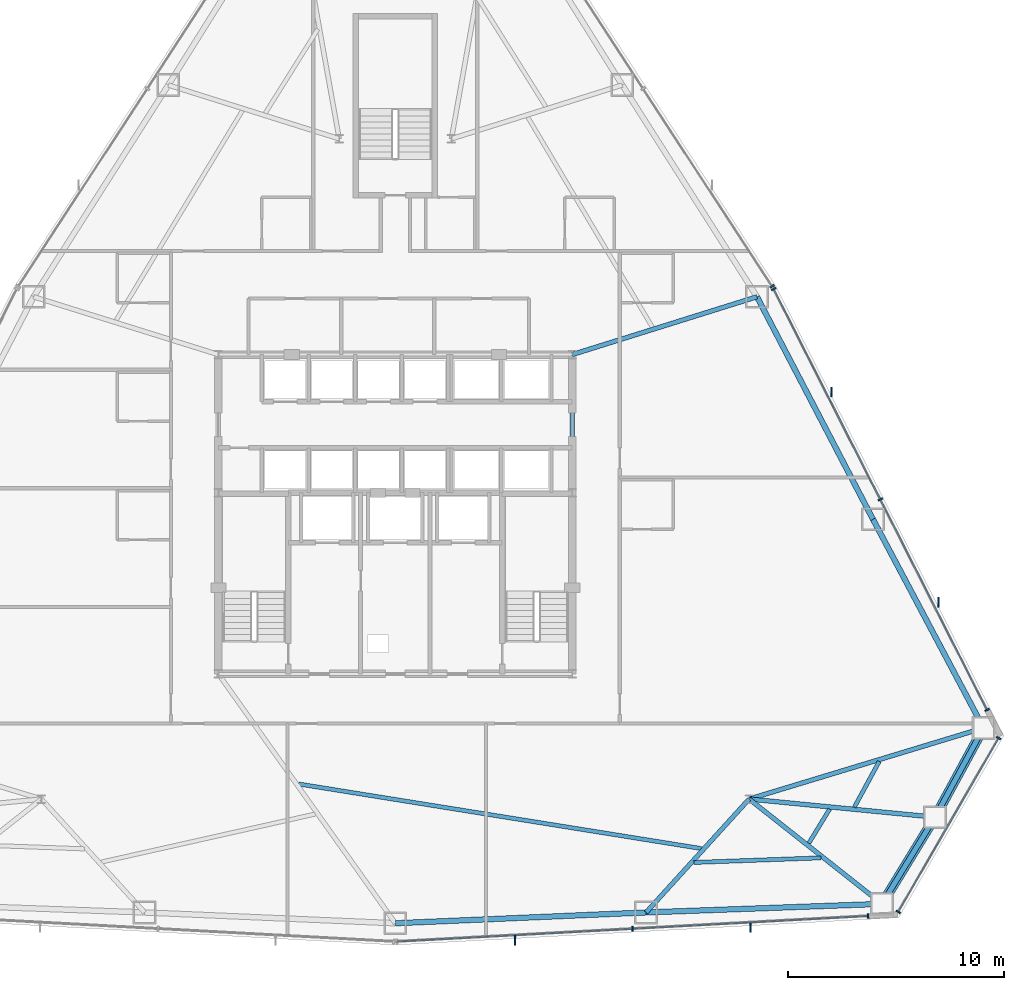
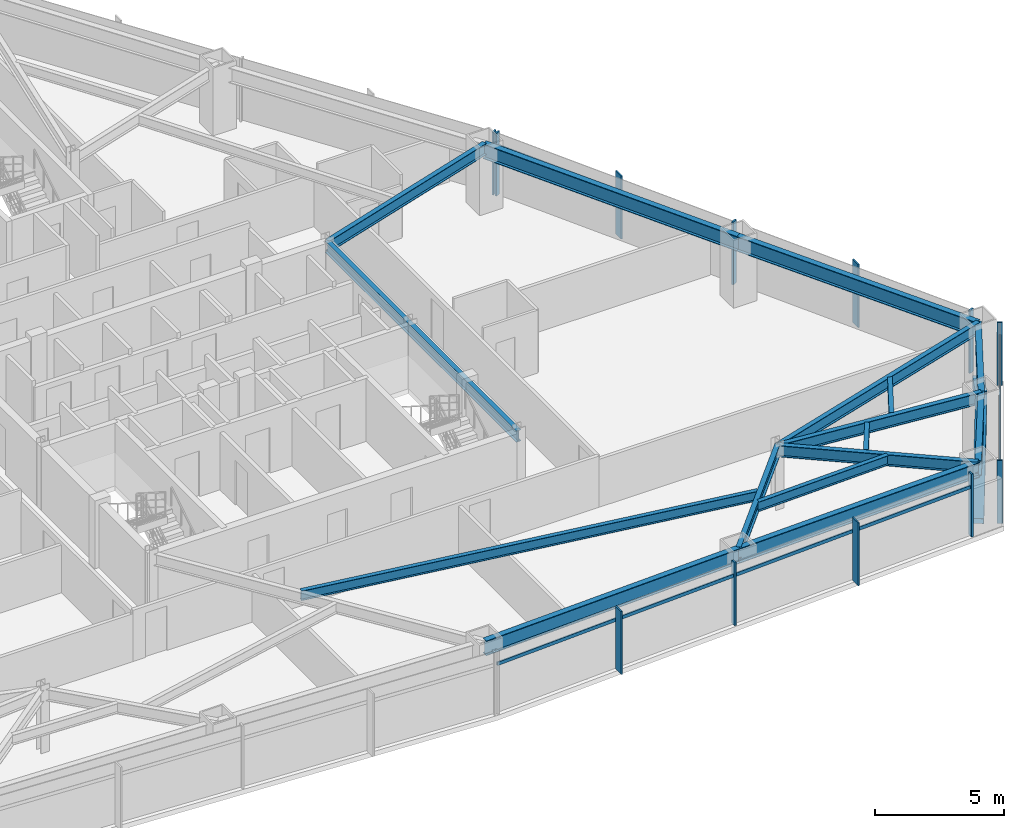
# One storey, part 6 of 12: 17 members, 16 beams, 4 elements without a shape of their own.
"""IFC4 building model written with IfcOpenShell, lengths in metres."""

from ifc_helpers import new_model, si_unit, direction, frame, origin, origin_2d, place, context, subcontext, project, spatial, rectangle, hollow_rectangle, i_section, extrude, source, transform, mapped, material, layer, layer_set, material_profile, profile_set, type_object, type_shapes, element, aggregate, save


model = new_model("IFC4")

# Units and contexts
model_context = context("Model", 3, precision=1e-05, world=origin(), true_north=direction((0.0, 1.0)))
body_context = subcontext(model_context, "Body", "Model", "MODEL_VIEW")
ifc_project = project(units=[si_unit("LENGTHUNIT", "METRE"), si_unit("AREAUNIT", "SQUARE_METRE"), si_unit("VOLUMEUNIT", "CUBIC_METRE"), si_unit("PLANEANGLEUNIT", "RADIAN"), si_unit("MASSUNIT", "GRAM", prefix="KILO")], contexts=[model_context])

# Site, building, storey
site_placement = place(None, origin())
site = spatial("IfcSite", under=ifc_project, at=site_placement, CompositionType="ELEMENT")
building_placement = place(site_placement, origin())
building = spatial("IfcBuilding", under=site, at=building_placement, Name="Varakhsha Concourse Tower", CompositionType="ELEMENT")
storey_placement = place(building_placement, frame((0.0, 0.0, 73.39990234375)))
storey = spatial("IfcBuildingStorey", under=building, at=storey_placement, Name="L20", CompositionType="ELEMENT", Elevation=73.39990234375)

# Beams
ifc_material_1 = material(Name="Structural Steel ASTM A992 Grade 50", Category="steel")
ifc_material_profile_1 = material_profile(ifc_material_1, i_section(OverallWidth=0.19091796875, OverallDepth=0.45703125, WebThickness=0.009033203125, FlangeThickness=0.013916015625, at=origin_2d()), Name="W18X50")
ifc_profile_set_1 = profile_set([ifc_material_profile_1], Name="Structural Steel ASTM A992 Grade 50")
beam_type_1 = type_object("IfcBeamType", Name="BM-JST-W18X50", PredefinedType="JOIST", material=ifc_profile_set_1)
beam_1_placement = place(storey_placement, frame((35.5166015625, 11.2978515625, 2.74169921875), z_axis=(0.987396525677, -0.158265918886, 0.0), x_axis=(0.158265918886, 0.987396525677, 0.0)))
element("IfcBeam", 1, at=beam_1_placement, inside=storey, type_object=beam_type_1, Name="BM-TJST-L20-11", PredefinedType="JOIST", context=body_context, shape_type="SweptSolid", body=[
    extrude(i_section(OverallWidth=0.19091796875, OverallDepth=0.45703125, WebThickness=0.009033203125, FlangeThickness=0.013916015625, at=origin_2d()), origin(), (0.0, 0.0, 1.0), 18.91064453125),
])
beam_2_placement = place(storey_placement, frame((53.834228515625, 7.660888671875, 2.74169921875), z_axis=(0.999342904679, 0.036245811721, 0.0), x_axis=(-0.036245811721, 0.999342904679, 0.0)))
element("IfcBeam", 2, at=beam_2_placement, inside=storey, type_object=beam_type_1, Name="BM-TJST-L20-12", PredefinedType="JOIST", context=body_context, shape_type="SweptSolid", body=[
    extrude(i_section(OverallWidth=0.19091796875, OverallDepth=0.45703125, WebThickness=0.009033203125, FlangeThickness=0.013916015625, at=origin_2d()), origin(), (0.0, 0.0, 1.0), 5.9072265625),
])
beam_3_placement = place(storey_placement, frame((59.166015625, 8.555908203125, 2.74169921875), z_axis=(0.521727239591, 0.853112353368, 0.0), x_axis=(-0.853112353368, 0.521727239591, 0.0)))
element("IfcBeam", 3, at=beam_3_placement, inside=storey, type_object=beam_type_1, Name="BM-TJST-L20-13", PredefinedType="JOIST", context=body_context, shape_type="SweptSolid", body=[
    extrude(i_section(OverallWidth=0.19091796875, OverallDepth=0.45703125, WebThickness=0.009033203125, FlangeThickness=0.013916015625, at=origin_2d()), origin(), (0.0, 0.0, 1.0), 1.85205078125),
])
beam_4_placement = place(storey_placement, frame((61.27587890625, 10.2255859375, 2.74169921875), z_axis=(0.478009855634, 0.878354471678, 0.0), x_axis=(-0.878354471678, 0.478009855634, 0.0)))
element("IfcBeam", 4, at=beam_4_placement, inside=storey, type_object=beam_type_1, Name="BM-TJST-L20-14", PredefinedType="JOIST", context=body_context, shape_type="SweptSolid", body=[
    extrude(i_section(OverallWidth=0.19091796875, OverallDepth=0.45703125, WebThickness=0.009033203125, FlangeThickness=0.013916015625, at=origin_2d()), origin(), (0.0, 0.0, 1.0), 2.417236328125),
])
ifc_material_profile_2 = material_profile(ifc_material_1, i_section(OverallWidth=0.2109375, OverallDepth=0.5390625, WebThickness=0.011962890625, FlangeThickness=0.01904296875, at=origin_2d()), Name="W21X73")
ifc_profile_set_2 = profile_set([ifc_material_profile_2], Name="Structural Steel ASTM A992 Grade 50")
beam_type_2 = type_object("IfcBeamType", Name="BM-RAD-W21X73", PredefinedType="BEAM", material=ifc_profile_set_2)
beam_5_placement = place(storey_placement, frame((48.199951171875, 16.39990234375, 2.70068359375), z_axis=(0.0, 1.0, 0.0), x_axis=(-1.0, 0.0, 0.0)))
element("IfcBeam", 5, at=beam_5_placement, inside=storey, type_object=beam_type_2, Name="BM-TCORE-L20-CE", PredefinedType="BEAM", context=body_context, shape_type="SweptSolid", body=[
    extrude(i_section(OverallWidth=0.2109375, OverallDepth=0.5390625, WebThickness=0.011962890625, FlangeThickness=0.01904296875, at=origin_2d()), origin(), (0.0, 0.0, 1.0), 14.800048828125),
])
beam_6_placement = place(storey_placement, frame((56.39990234375, 10.60009765625, 2.70068359375), z_axis=(-0.672691612759, -0.739922964993, 0.0), x_axis=(0.739922964993, -0.672691612759, 0.0)))
element("IfcBeam", 6, at=beam_6_placement, inside=storey, type_object=beam_type_2, Name="L20 Radial Floor Girder 12", PredefinedType="BEAM", context=body_context, shape_type="SweptSolid", body=[
    extrude(i_section(OverallWidth=0.2109375, OverallDepth=0.5390625, WebThickness=0.011962890625, FlangeThickness=0.01904296875, at=origin_2d()), origin(), (0.0, 0.0, 1.0), 7.10302734375),
])
beam_7_placement = place(storey_placement, frame((56.39990234375, 10.60009765625, 2.70068359375), z_axis=(0.78494889691, -0.619560512976, 0.0), x_axis=(0.619560512976, 0.78494889691, 0.0)))
element("IfcBeam", 7, at=beam_7_placement, inside=storey, type_object=beam_type_2, Name="L20 Radial Floor Girder 13", PredefinedType="BEAM", context=body_context, shape_type="SweptSolid", body=[
    extrude(i_section(OverallWidth=0.2109375, OverallDepth=0.5390625, WebThickness=0.011962890625, FlangeThickness=0.01904296875, at=origin_2d()), origin(), (0.0, 0.0, 1.0), 7.8427734375),
])
beam_8_placement = place(storey_placement, frame((56.39990234375, 10.60009765625, 2.70068359375), z_axis=(0.995263322747, -0.097215834071, 0.0), x_axis=(0.097215834071, 0.995263322747, 0.0)))
element("IfcBeam", 8, at=beam_8_placement, inside=storey, type_object=beam_type_2, Name="L20 Radial Floor Girder 14", PredefinedType="BEAM", context=body_context, shape_type="SweptSolid", body=[
    extrude(i_section(OverallWidth=0.2109375, OverallDepth=0.5390625, WebThickness=0.011962890625, FlangeThickness=0.01904296875, at=origin_2d()), origin(), (0.0, 0.0, 1.0), 8.654052734375),
])
beam_9_placement = place(storey_placement, frame((56.39990234375, 10.60009765625, 2.70068359375), z_axis=(0.9569458756, 0.290266414131, 0.0), x_axis=(-0.290266414131, 0.9569458756, 0.0)))
element("IfcBeam", 9, at=beam_9_placement, inside=storey, type_object=beam_type_2, Name="L20 Radial Floor Girder 15", PredefinedType="BEAM", context=body_context, shape_type="SweptSolid", body=[
    extrude(i_section(OverallWidth=0.2109375, OverallDepth=0.5390625, WebThickness=0.011962890625, FlangeThickness=0.01904296875, at=origin_2d()), origin(), (0.0, 0.0, 1.0), 11.35302734375),
])
beam_10_placement = place(storey_placement, frame((48.199951171875, 31.199951171875, 2.70068359375), z_axis=(0.954407321853, 0.298507393532, 0.0), x_axis=(-0.298507393532, 0.954407321853, 0.0)))
element("IfcBeam", 10, at=beam_10_placement, inside=storey, type_object=beam_type_2, Name="L20 Radial Floor Girder 17", PredefinedType="BEAM", context=body_context, shape_type="SweptSolid", body=[
    extrude(i_section(OverallWidth=0.2109375, OverallDepth=0.5390625, WebThickness=0.011962890625, FlangeThickness=0.01904296875, at=origin_2d()), origin(), (0.0, 0.0, 1.0), 8.97216796875),
])
ifc_material_profile_3 = material_profile(ifc_material_1, i_section(OverallWidth=0.25390625, OverallDepth=0.701904296875, WebThickness=0.014892578125, FlangeThickness=0.028076171875, at=origin_2d()), Name="W27X129")
ifc_profile_set_3 = profile_set([ifc_material_profile_3], Name="Structural Steel ASTM A992 Grade 50")
beam_type_3 = type_object("IfcBeamType", Name="BM-SPAN-W27X129", PredefinedType="SPANDREL", material=ifc_profile_set_3)
beam_11_placement = place(storey_placement, frame((40.0, 4.84375, 2.619140625), z_axis=(0.999073109275, 0.043045584251, 0.0), x_axis=(-0.043045584251, 0.999073109275, 0.0)))
element("IfcBeam", 11, at=beam_11_placement, inside=storey, type_object=beam_type_3, Name="BM-SPAN-L20-11", PredefinedType="SPANDREL", context=body_context, shape_type="SweptSolid", body=[
    extrude(i_section(OverallWidth=0.25390625, OverallDepth=0.701904296875, WebThickness=0.014892578125, FlangeThickness=0.028076171875, at=origin_2d()), origin(), (0.0, 0.0, 1.0), 11.632568359375),
])
beam_12_placement = place(storey_placement, frame((51.621826171875, 5.344482421875, 2.619140625), z_axis=(0.999343234849, 0.036236707379, 0.0), x_axis=(-0.036236707379, 0.999343234849, 0.0)))
element("IfcBeam", 12, at=beam_12_placement, inside=storey, type_object=beam_type_3, Name="BM-SPAN-L20-12", PredefinedType="SPANDREL", context=body_context, shape_type="SweptSolid", body=[
    extrude(i_section(OverallWidth=0.25390625, OverallDepth=0.701904296875, WebThickness=0.014892578125, FlangeThickness=0.028076171875, at=origin_2d()), origin(), (0.0, 0.0, 1.0), 10.94140625),
])
beam_13_placement = place(storey_placement, frame((62.55615234375, 5.740966796875, 2.619140625), z_axis=(0.521674363238, 0.853144688046, 0.0), x_axis=(-0.853144688046, 0.521674363238, 0.0)))
element("IfcBeam", 13, at=beam_13_placement, inside=storey, type_object=beam_type_3, Name="BM-SPAN-L20-13", PredefinedType="SPANDREL", context=body_context, shape_type="SweptSolid", body=[
    extrude(i_section(OverallWidth=0.25390625, OverallDepth=0.701904296875, WebThickness=0.014892578125, FlangeThickness=0.028076171875, at=origin_2d()), origin(), (0.0, 0.0, 1.0), 4.70947265625),
])
beam_14_placement = place(storey_placement, frame((65.012939453125, 9.7587890625, 2.619140625), z_axis=(0.478005647914, 0.878356761551, 0.0), x_axis=(-0.878356761551, 0.478005647914, 0.0)))
element("IfcBeam", 14, at=beam_14_placement, inside=storey, type_object=beam_type_3, Name="BM-SPAN-L20-14", PredefinedType="SPANDREL", context=body_context, shape_type="SweptSolid", body=[
    extrude(i_section(OverallWidth=0.25390625, OverallDepth=0.701904296875, WebThickness=0.014892578125, FlangeThickness=0.028076171875, at=origin_2d()), origin(), (0.0, 0.0, 1.0), 4.709716796875),
])
beam_15_placement = place(storey_placement, frame((67.26416015625, 13.8955078125, 2.619140625), z_axis=(-0.46832133516, 0.88355821938, 0.0), x_axis=(-0.88355821938, -0.46832133516, 0.0)))
element("IfcBeam", 15, at=beam_15_placement, inside=storey, type_object=beam_type_3, Name="BM-SPAN-L20-15", PredefinedType="SPANDREL", context=body_context, shape_type="SweptSolid", body=[
    extrude(i_section(OverallWidth=0.25390625, OverallDepth=0.701904296875, WebThickness=0.014892578125, FlangeThickness=0.028076171875, at=origin_2d()), origin(), (0.0, 0.0, 1.0), 10.941162109375),
])
beam_16_placement = place(storey_placement, frame((62.14013671875, 23.562744140625, 2.619140625), z_axis=(-0.46224393277, 0.886752810324, 0.0), x_axis=(-0.886752810324, -0.46224393277, 0.0)))
element("IfcBeam", 16, at=beam_16_placement, inside=storey, type_object=beam_type_3, Name="BM-SPAN-L20-16", PredefinedType="SPANDREL", context=body_context, shape_type="SweptSolid", body=[
    extrude(i_section(OverallWidth=0.25390625, OverallDepth=0.701904296875, WebThickness=0.014892578125, FlangeThickness=0.028076171875, at=origin_2d()), origin(), (0.0, 0.0, 1.0), 11.6328125),
])

# Members
ifc_material_2 = material(Name="Structural Steel ASTM A500 Grade C", Category="steel")
ifc_material_profile_4 = material_profile(ifc_material_2, hollow_rectangle(XDim=0.449951171875, YDim=0.449951171875, WallThickness=0.01904296875, at=origin_2d()), Name="HSS 450x450x19")
ifc_profile_set_4 = profile_set([ifc_material_profile_4], Name="Structural Steel ASTM A500 Grade C")
member_type_1 = type_object("IfcMemberType", Name="MB-TUBE-HSS450", PredefinedType="BRACE", material=ifc_profile_set_4)
shared_shape_1 = source(origin(), body_context, "Body", "SweptSolid", [
    extrude(hollow_rectangle(XDim=0.449951171875, YDim=0.449951171875, WallThickness=0.01904296875, at=origin_2d()), origin(), (0.0, 0.0, 1.0), 5.35546875),
])
member_1_placement = place(storey_placement, frame((62.55615234375, 5.740966796875, 0.1201171875), z_axis=(0.458740401684, 0.750222676192, 0.476154575732), x_axis=(-0.853144688046, 0.521674363238, 0.0)))
element("IfcMember", 17, at=member_1_placement, inside=storey, type_object=member_type_1, Name="L20 Wind-Corner Tube Brace B05", PredefinedType="BRACE", context=body_context, shape_type="MappedRepresentation", body=[
    mapped(shared_shape_1, transform((0.0, 0.0, 0.0), scale=1.0)),
])
shared_shape_2 = source(origin(), body_context, "Body", "SweptSolid", [
    extrude(hollow_rectangle(XDim=0.449951171875, YDim=0.449951171875, WallThickness=0.01904296875, at=origin_2d()), origin(), (0.0, 0.0, 1.0), 5.355712890625),
])
type_shapes(member_type_1, [shared_shape_1, shared_shape_2])
member_2_placement = place(storey_placement, frame((67.26416015625, 13.8955078125, 0.1201171875), z_axis=(-0.420343544228, -0.772400066523, 0.4761401496), x_axis=(0.878356761551, -0.478005647914, 0.0)))
element("IfcMember", 18, at=member_2_placement, inside=storey, type_object=member_type_1, Name="L20 Wind-Corner Tube Brace B06", PredefinedType="BRACE", context=body_context, shape_type="MappedRepresentation", body=[
    mapped(shared_shape_2, transform((0.0, 0.0, 0.0), scale=1.0)),
])

# Curtain wall, members
ifc_material_3 = material(Name="Anodised Bronze Architectural Aluminium AA 6063-T6", Category="aluminium")
ifc_layer = layer(ifc_material_3, 0.199951171875, Name="CW-SYS-03")
ifc_layer_set = layer_set([ifc_layer], Name="Anodised Bronze Architectural Aluminium AA 6063-T6")
curtain_wall_type = type_object("IfcCurtainWallType", Name="CW-SYS-03", PredefinedType="NOTDEFINED", material=ifc_layer_set)
curtain_wall_1_placement = place(storey_placement, origin())
curtain_wall_1 = element("IfcCurtainWall", 19, at=curtain_wall_1_placement, inside=storey, type_object=curtain_wall_type, Name="L20 Crystal Curtain Wall F6", PredefinedType="NOTDEFINED")
ifc_material_profile_5 = material_profile(ifc_material_3, rectangle(XDim=0.074951171875, YDim=0.219970703125, at=origin_2d()), Name="CWM-220X75")
ifc_profile_set_5 = profile_set([ifc_material_profile_5], Name="Anodised Bronze Architectural Aluminium AA 6063-T6")
member_type_2 = type_object("IfcMemberType", Name="CWM-220X75", PredefinedType="MULLION", material=ifc_profile_set_5)
shared_shape_3 = source(origin(), body_context, "Body", "SweptSolid", [
    extrude(rectangle(XDim=0.074951171875, YDim=0.219970703125, at=origin_2d()), origin(), (0.0, 0.0, 1.0), 2.97021484375),
])
type_shapes(member_type_2, [shared_shape_3])
member_3_placement = place(storey_placement, frame((61.91259765625, 5.1826171875, 0.0), z_axis=(0.0, 0.0, 1.0), x_axis=(-0.998527027199, -0.054256575203, 0.0)))
member_3 = element("IfcMember", 20, at=member_3_placement, type_object=member_type_2, Name="CW-L20-F6 Mullion 00", PredefinedType="MULLION", context=body_context, shape_type="MappedRepresentation", body=[
    mapped(shared_shape_3, transform((0.0, 0.0, 0.0), scale=1.0)),
])
member_4_placement = place(storey_placement, frame((50.991943359375, 4.58935546875, 0.0), z_axis=(0.0, 0.0, 1.0), x_axis=(-0.998527027199, -0.054256575203, 0.0)))
member_4 = element("IfcMember", 21, at=member_4_placement, type_object=member_type_2, Name="CW-L20-F6 Mullion 01", PredefinedType="MULLION", context=body_context, shape_type="MappedRepresentation", body=[
    mapped(shared_shape_3, transform((0.0, 0.0, 0.0), scale=1.0)),
])

curtain_wall_2_placement = place(storey_placement, origin())
curtain_wall_2 = element("IfcCurtainWall", 22, at=curtain_wall_2_placement, inside=storey, type_object=curtain_wall_type, Name="L20 Chamfer Curtain Wall F7", PredefinedType="NOTDEFINED")
member_5_placement = place(storey_placement, frame((67.962158203125, 13.427001953125, 0.0), z_axis=(0.0, 0.0, 1.0), x_axis=(-0.49999395399, -0.866028894422, 0.0)))
member_5 = element("IfcMember", 23, at=member_5_placement, type_object=member_type_2, Name="CW-L20-F7 Mullion 00", PredefinedType="MULLION", context=body_context, shape_type="MappedRepresentation", body=[
    mapped(shared_shape_3, transform((0.0, 0.0, 0.0), scale=1.0)),
])
member_6_placement = place(storey_placement, frame((63.310791015625, 5.37060546875, 0.0), z_axis=(0.0, 0.0, 1.0), x_axis=(-0.49999395399, -0.866028894422, 0.0)))
member_6 = element("IfcMember", 24, at=member_6_placement, type_object=member_type_2, Name="CW-L20-F7 Mullion 01", PredefinedType="MULLION", context=body_context, shape_type="MappedRepresentation", body=[
    mapped(shared_shape_3, transform((0.0, 0.0, 0.0), scale=1.0)),
])

curtain_wall_3_placement = place(storey_placement, origin())
curtain_wall_3 = element("IfcCurtainWall", 25, at=curtain_wall_3_placement, inside=storey, type_object=curtain_wall_type, Name="L20 Crystal Curtain Wall F8", PredefinedType="NOTDEFINED")
member_7_placement = place(storey_placement, frame((57.532958984375, 34.240478515625, 0.0), z_axis=(0.0, 0.0, 1.0), x_axis=(0.45227438453, -0.891878848891, 0.0)))
member_7 = element("IfcMember", 26, at=member_7_placement, type_object=member_type_2, Name="CW-L20-F8 Mullion 00", PredefinedType="MULLION", context=body_context, shape_type="MappedRepresentation", body=[
    mapped(shared_shape_3, transform((0.0, 0.0, 0.0), scale=1.0)),
])
member_8_placement = place(storey_placement, frame((62.479248046875, 24.486083984375, 0.0), z_axis=(0.0, 0.0, 1.0), x_axis=(0.45227438453, -0.891878848891, 0.0)))
member_8 = element("IfcMember", 27, at=member_8_placement, type_object=member_type_2, Name="CW-L20-F8 Mullion 01", PredefinedType="MULLION", context=body_context, shape_type="MappedRepresentation", body=[
    mapped(shared_shape_3, transform((0.0, 0.0, 0.0), scale=1.0)),
])
member_9_placement = place(storey_placement, frame((67.42578125, 14.731689453125, 0.0), z_axis=(0.0, 0.0, 1.0), x_axis=(0.45227438453, -0.891878848891, 0.0)))
member_9 = element("IfcMember", 28, at=member_9_placement, type_object=member_type_2, Name="CW-L20-F8 Mullion 02", PredefinedType="MULLION", context=body_context, shape_type="MappedRepresentation", body=[
    mapped(shared_shape_3, transform((0.0, 0.0, 0.0), scale=1.0)),
])

# Curtain wall, member
curtain_wall_4_placement = place(storey_placement, origin())
curtain_wall_4 = element("IfcCurtainWall", 29, at=curtain_wall_4_placement, inside=storey, type_object=curtain_wall_type, Name="L20 Crystal Curtain Wall F9", PredefinedType="NOTDEFINED")
member_10_placement = place(storey_placement, frame((57.461669921875, 34.36376953125, 0.0), z_axis=(0.0, 0.0, 1.0), x_axis=(0.546249624122, -0.837622437705, 0.0)))
member_10 = element("IfcMember", 30, at=member_10_placement, type_object=member_type_2, Name="CW-L20-F9 Mullion 02", PredefinedType="MULLION", context=body_context, shape_type="MappedRepresentation", body=[
    mapped(shared_shape_3, transform((0.0, 0.0, 0.0), scale=1.0)),
])
aggregate(curtain_wall_4, [member_10])

# Member
ifc_material_profile_6 = material_profile(ifc_material_3, rectangle(XDim=0.06494140625, YDim=0.159912109375, at=origin_2d()), Name="CWT-160X65")
ifc_profile_set_6 = profile_set([ifc_material_profile_6], Name="Anodised Bronze Architectural Aluminium AA 6063-T6")
member_type_3 = type_object("IfcMemberType", Name="CWT-160X65", PredefinedType="USERDEFINED", material=ifc_profile_set_6)
shared_shape_4 = source(origin(), body_context, "Body", "SweptSolid", [
    extrude(rectangle(XDim=0.06494140625, YDim=0.159912109375, at=origin_2d()), origin(), (0.0, 0.0, 1.0), 21.87353515625),
])
member_11_placement = place(storey_placement, frame((61.91259765625, 5.1826171875, 2.320068359375), z_axis=(-0.998527064655, -0.054255885865, 0.0), x_axis=(0.054255885865, -0.998527064655, 0.0)))
member_11 = element("IfcMember", 31, at=member_11_placement, type_object=member_type_3, Name="CW-L20-F6 Transom 01", ObjectType="TRANSOM", PredefinedType="USERDEFINED", context=body_context, shape_type="MappedRepresentation", body=[
    mapped(shared_shape_4, transform((0.0, 0.0, 0.0), scale=1.0)),
])

ifc_material_profile_7 = material_profile(ifc_material_3, rectangle(XDim=0.06494140625, YDim=0.449951171875, at=origin_2d()), Name="FIN-BRZ-450")
ifc_profile_set_7 = profile_set([ifc_material_profile_7], Name="Anodised Bronze Architectural Aluminium AA 6063-T6")
member_type_4 = type_object("IfcMemberType", Name="FIN-BRZ-450", PredefinedType="USERDEFINED", material=ifc_profile_set_7)
shared_shape_5 = source(origin(), body_context, "Body", "SweptSolid", [
    extrude(rectangle(XDim=0.06494140625, YDim=0.449951171875, at=origin_2d()), origin(), (0.0, 0.0, 1.0), 2.97021484375),
])
type_shapes(member_type_4, [shared_shape_5])
member_12_placement = place(storey_placement, frame((56.46533203125, 4.646484375, 0.0), z_axis=(0.0, 0.0, 1.0), x_axis=(1.0, 0.0, 0.0)))
member_12 = element("IfcMember", 32, at=member_12_placement, type_object=member_type_4, Name="L20 Anodised Bronze Solar Fin F6-1", ObjectType="SOLAR FIN", PredefinedType="USERDEFINED", context=body_context, shape_type="MappedRepresentation", body=[
    mapped(shared_shape_5, transform((0.0, 0.0, 0.0), scale=1.0)),
])

member_13_placement = place(storey_placement, frame((45.544677734375, 4.052978515625, 0.0), z_axis=(0.0, 0.0, 1.0), x_axis=(1.0, 0.0, 0.0)))
member_13 = element("IfcMember", 33, at=member_13_placement, type_object=member_type_4, Name="L20 Anodised Bronze Solar Fin F6-2", ObjectType="SOLAR FIN", PredefinedType="USERDEFINED", context=body_context, shape_type="MappedRepresentation", body=[
    mapped(shared_shape_5, transform((0.0, 0.0, 0.0), scale=1.0)),
])

aggregate(curtain_wall_1, [member_3, member_4, member_11, member_12, member_13])

member_14_placement = place(storey_placement, frame((60.22021484375, 29.4716796875, 0.0), z_axis=(0.0, 0.0, 1.0), x_axis=(1.0, 0.0, 0.0)))
member_14 = element("IfcMember", 34, at=member_14_placement, type_object=member_type_4, Name="L20 Anodised Bronze Solar Fin F8-1", ObjectType="SOLAR FIN", PredefinedType="USERDEFINED", context=body_context, shape_type="MappedRepresentation", body=[
    mapped(shared_shape_5, transform((0.0, 0.0, 0.0), scale=1.0)),
])

member_15_placement = place(storey_placement, frame((65.16650390625, 19.71728515625, 0.0), z_axis=(0.0, 0.0, 1.0), x_axis=(1.0, 0.0, 0.0)))
member_15 = element("IfcMember", 35, at=member_15_placement, type_object=member_type_4, Name="L20 Anodised Bronze Solar Fin F8-2", ObjectType="SOLAR FIN", PredefinedType="USERDEFINED", context=body_context, shape_type="MappedRepresentation", body=[
    mapped(shared_shape_5, transform((0.0, 0.0, 0.0), scale=1.0)),
])

shared_shape_6 = source(origin(), body_context, "Body", "SweptSolid", [
    extrude(rectangle(XDim=0.06494140625, YDim=0.159912109375, at=origin_2d()), origin(), (0.0, 0.0, 1.0), 21.873779296875),
])
member_16_placement = place(storey_placement, frame((57.532958984375, 34.240478515625, 2.320068359375), z_axis=(0.452269221252, -0.891881467185, 0.0), x_axis=(0.891881467185, 0.452269221252, 0.0)))
member_16 = element("IfcMember", 36, at=member_16_placement, type_object=member_type_3, Name="CW-L20-F8 Transom 01", ObjectType="TRANSOM", PredefinedType="USERDEFINED", context=body_context, shape_type="MappedRepresentation", body=[
    mapped(shared_shape_6, transform((0.0, 0.0, 0.0), scale=1.0)),
])

aggregate(curtain_wall_3, [member_7, member_8, member_9, member_16, member_14, member_15])

shared_shape_7 = source(origin(), body_context, "Body", "SweptSolid", [
    extrude(rectangle(XDim=0.06494140625, YDim=0.159912109375, at=origin_2d()), origin(), (0.0, 0.0, 1.0), 9.302734375),
])
type_shapes(member_type_3, [shared_shape_4, shared_shape_6, shared_shape_7])
member_17_placement = place(storey_placement, frame((67.962158203125, 13.427001953125, 2.320068359375), z_axis=(-0.500000363486, -0.866025193926, 0.0), x_axis=(0.866025193926, -0.500000363486, 0.0)))
member_17 = element("IfcMember", 37, at=member_17_placement, type_object=member_type_3, Name="CW-L20-F7 Transom 01", ObjectType="TRANSOM", PredefinedType="USERDEFINED", context=body_context, shape_type="MappedRepresentation", body=[
    mapped(shared_shape_7, transform((0.0, 0.0, 0.0), scale=1.0)),
])

aggregate(curtain_wall_2, [member_5, member_6, member_17])

save(model, "model.ifc")
